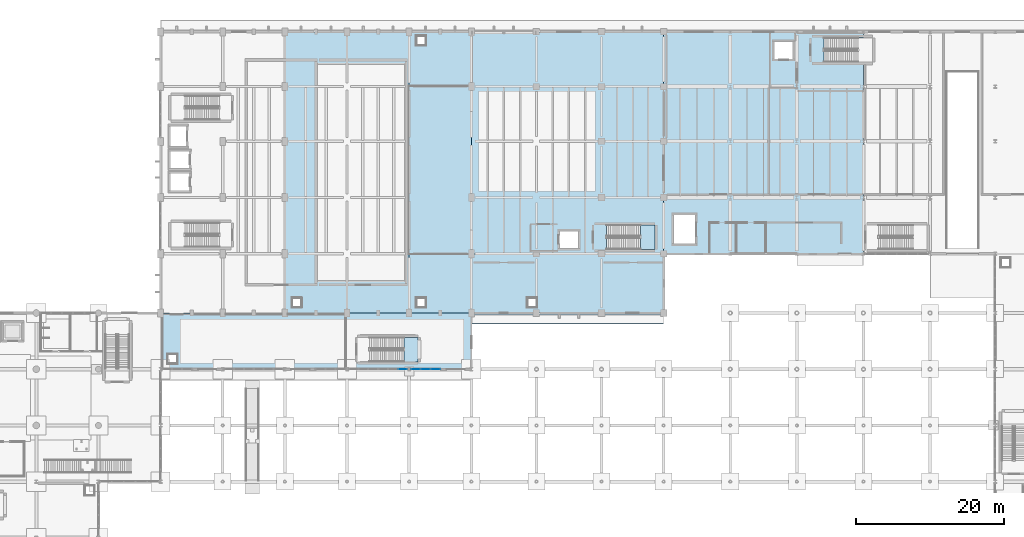
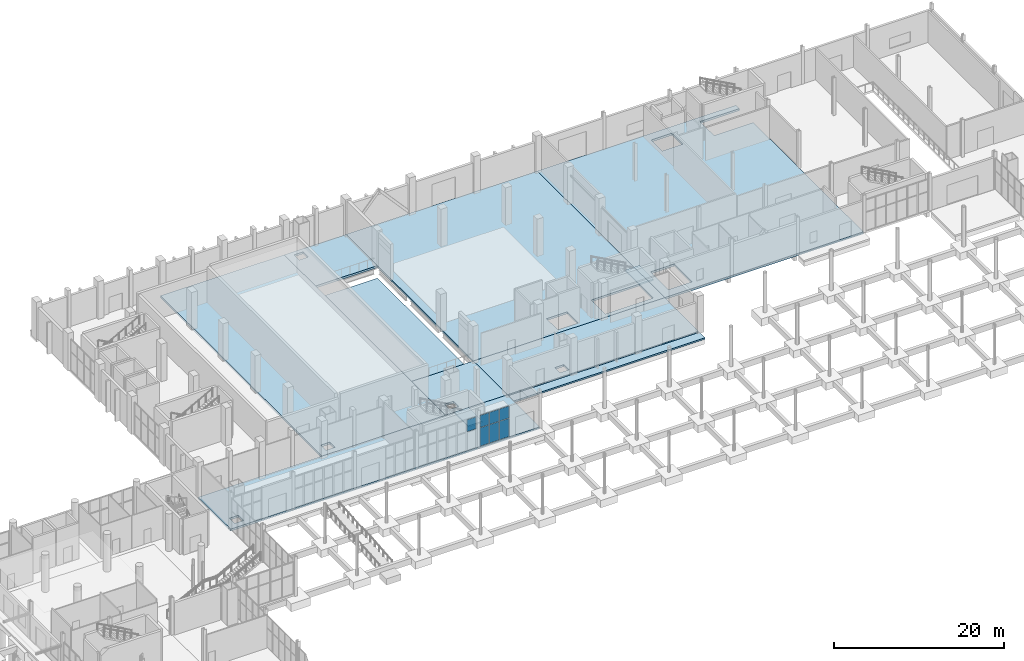
# One storey, part 64 of 95: 11 slabs, 7 plates, 4 elements without a shape of their own.
"""IFC4 building model written with IfcOpenShell, lengths in metres."""

from ifc_helpers import new_model, si_unit, direction, frame, origin, origin_2d, place, context, subcontext, project, spatial, polyline, rectangle, outline, extrude, material, layer, layer_set, type_object, element, aggregate, save


model = new_model("IFC4")

# Units and contexts
model_context = context("Model", 3, precision=1e-05, world=origin(), true_north=direction((0.0, 1.0)))
body_context = subcontext(model_context, "Body", "Model", "MODEL_VIEW")
ifc_project = project(units=[si_unit("LENGTHUNIT", "METRE"), si_unit("AREAUNIT", "SQUARE_METRE"), si_unit("VOLUMEUNIT", "CUBIC_METRE"), si_unit("PLANEANGLEUNIT", "RADIAN"), si_unit("MASSUNIT", "GRAM", prefix="KILO")], contexts=[model_context])

# Site, building, storey
site_placement = place(None, origin())
site = spatial("IfcSite", under=ifc_project, at=site_placement, CompositionType="ELEMENT")
building_placement = place(site_placement, origin())
building = spatial("IfcBuilding", under=site, at=building_placement, Name="Shengluoqiao Park Theatre", CompositionType="ELEMENT")
storey_placement = place(building_placement, origin())
storey = spatial("IfcBuildingStorey", under=building, at=storey_placement, Name="L00", CompositionType="ELEMENT", Elevation=0.0)

# Curtain wall, plate
ifc_material_1 = material(Name="Aluminium 6063-T6", Category="aluminium")
curtain_wall_type = type_object("IfcCurtainWallType", Name="ENV-CW-PROM", PredefinedType="NOTDEFINED", material=ifc_material_1)
curtain_wall_1_placement = place(storey_placement, origin())
curtain_wall_1 = element("IfcCurtainWall", 1, at=curtain_wall_1_placement, inside=storey, type_object=curtain_wall_type, Name="L00 Curtain Wall CW-L00-0044", PredefinedType="NOTDEFINED")
ifc_material_2 = material(Name="Insulated glass", Category="glass")
ifc_layer_1 = layer(ifc_material_2, 0.0380859375, Name="Insulated glass")
ifc_layer_set_1 = layer_set([ifc_layer_1], Name="Insulated glass")
plate_type = type_object("IfcPlateType", Name="ENV-GLZ-GL-38", PredefinedType="CURTAIN_PANEL", material=ifc_layer_set_1)
plate_1_placement = place(storey_placement, frame((77.111572265625, 68.39990234375, 2.75732421875), z_axis=(0.0, 0.0, 1.0), x_axis=(1.0, 0.0, 0.0)))
plate_1 = element("IfcPlate", 2, at=plate_1_placement, type_object=plate_type, Name="CW-04 panel 3.2", PredefinedType="CURTAIN_PANEL", context=body_context, shape_type="SweptSolid", body=[
    extrude(rectangle(XDim=1.233642578125, YDim=0.0380859375, at=origin_2d()), origin(), (0.0, 0.0, 1.0), 1.719482421875),
])
aggregate(curtain_wall_1, [plate_1])

# Curtain wall, plates
curtain_wall_2_placement = place(storey_placement, origin())
curtain_wall_2 = element("IfcCurtainWall", 3, at=curtain_wall_2_placement, inside=storey, type_object=curtain_wall_type, Name="L00 Curtain Wall CW-L00-0045", PredefinedType="NOTDEFINED")
plate_2_placement = place(storey_placement, frame((78.8984375, 68.39990234375, 0.06494140625), z_axis=(0.0, 0.0, 1.0), x_axis=(1.0, 0.0, 0.0)))
plate_2 = element("IfcPlate", 4, at=plate_2_placement, type_object=plate_type, Name="CW-04 panel 1.1", PredefinedType="CURTAIN_PANEL", context=body_context, shape_type="SweptSolid", body=[
    extrude(rectangle(XDim=1.253662109375, YDim=0.0380859375, at=origin_2d()), origin(), (0.0, 0.0, 1.0), 2.62744140625),
])
plate_3_placement = place(storey_placement, frame((78.8984375, 68.39990234375, 2.75732421875), z_axis=(0.0, 0.0, 1.0), x_axis=(1.0, 0.0, 0.0)))
plate_3 = element("IfcPlate", 5, at=plate_3_placement, type_object=plate_type, Name="CW-04 panel 1.2", PredefinedType="CURTAIN_PANEL", context=body_context, shape_type="SweptSolid", body=[
    extrude(rectangle(XDim=1.253662109375, YDim=0.0380859375, at=origin_2d()), origin(), (0.0, 0.0, 1.0), 1.719482421875),
])
plate_4_placement = place(storey_placement, frame((80.233154296875, 68.39990234375, 0.06494140625), z_axis=(0.0, 0.0, 1.0), x_axis=(1.0, 0.0, 0.0)))
plate_4 = element("IfcPlate", 6, at=plate_4_placement, type_object=plate_type, Name="CW-04 panel 2.1", PredefinedType="CURTAIN_PANEL", context=body_context, shape_type="SweptSolid", body=[
    extrude(rectangle(XDim=1.2861328125, YDim=0.0380859375, at=origin_2d()), origin(), (0.0, 0.0, 1.0), 2.62744140625),
])
plate_5_placement = place(storey_placement, frame((80.233154296875, 68.39990234375, 2.75732421875), z_axis=(0.0, 0.0, 1.0), x_axis=(1.0, 0.0, 0.0)))
plate_5 = element("IfcPlate", 7, at=plate_5_placement, type_object=plate_type, Name="CW-04 panel 2.2", PredefinedType="CURTAIN_PANEL", context=body_context, shape_type="SweptSolid", body=[
    extrude(rectangle(XDim=1.2861328125, YDim=0.0380859375, at=origin_2d()), origin(), (0.0, 0.0, 1.0), 1.719482421875),
])
plate_6_placement = place(storey_placement, frame((81.568115234375, 68.39990234375, 0.06494140625), z_axis=(0.0, 0.0, 1.0), x_axis=(1.0, 0.0, 0.0)))
plate_6 = element("IfcPlate", 8, at=plate_6_placement, type_object=plate_type, Name="CW-04 panel 3.1", PredefinedType="CURTAIN_PANEL", context=body_context, shape_type="SweptSolid", body=[
    extrude(rectangle(XDim=1.253662109375, YDim=0.0380859375, at=origin_2d()), origin(), (0.0, 0.0, 1.0), 2.62744140625),
])
plate_7_placement = place(storey_placement, frame((81.568115234375, 68.39990234375, 2.75732421875), z_axis=(0.0, 0.0, 1.0), x_axis=(1.0, 0.0, 0.0)))
plate_7 = element("IfcPlate", 9, at=plate_7_placement, type_object=plate_type, Name="CW-04 panel 3.2", PredefinedType="CURTAIN_PANEL", context=body_context, shape_type="SweptSolid", body=[
    extrude(rectangle(XDim=1.253662109375, YDim=0.0380859375, at=origin_2d()), origin(), (0.0, 0.0, 1.0), 1.719482421875),
])
aggregate(curtain_wall_2, [plate_2, plate_3, plate_4, plate_5, plate_6, plate_7])

# Slab
ifc_material_3 = material(Name="Concrete C40", Category="concrete")
ifc_layer_2 = layer(ifc_material_3, 0.219970703125, Name="Concrete C40")
ifc_layer_set_2 = layer_set([ifc_layer_2], Name="Concrete C40")
slab_type_1 = type_object("IfcSlabType", Name="ENV-SLB-APRON", PredefinedType="BASESLAB", material=ifc_layer_set_2)
slab_1_placement = place(storey_placement, frame((0.0, 0.0, -0.219970703125)))
element("IfcSlab", 10, at=slab_1_placement, inside=storey, type_object=slab_type_1, Name="Exterior Threshold Apron APR-STH-FCR", PredefinedType="BASESLAB", context=body_context, shape_type="SweptSolid", body=[
    extrude(outline(polyline([(86.39990234375, 74.5), (112.39990234375, 74.5), (112.39990234375, 75.800048828125), (86.39990234375, 75.800048828125), (86.39990234375, 74.5)])), origin(), (0.0, 0.0, 1.0), 0.219970703125),
])

# Stair, slab
stair_type = type_object("IfcStairType", Name="INT-STR-CORE", PredefinedType="HALF_TURN_STAIR", material=ifc_material_3)
stair_1_placement = place(storey_placement, origin())
stair_1 = element("IfcStair", 11, at=stair_1_placement, inside=storey, type_object=stair_type, Name="L00 South Promenade Escape Stair 11", PredefinedType="HALF_TURN_STAIR")
ifc_layer_3 = layer(ifc_material_3, 0.169921875, Name="Concrete C40")
ifc_layer_set_3 = layer_set([ifc_layer_3], Name="Concrete C40")
slab_type_2 = type_object("IfcSlabType", Name="INT-LND-SL-170", PredefinedType="LANDING", material=ifc_layer_set_3)
slab_2_placement = place(storey_placement, frame((0.0, 0.0, 2.5)))
slab_2 = element("IfcSlab", 12, at=slab_2_placement, type_object=slab_type_2, Name="ST-11 landing 1", PredefinedType="LANDING", context=body_context, shape_type="SweptSolid", body=[
    extrude(outline(polyline([(77.2900390625, 69.39990234375), (79.199951171875, 69.39990234375), (79.199951171875, 72.699951171875), (77.2900390625, 72.699951171875), (77.2900390625, 69.39990234375)])), origin(), (0.0, 0.0, 1.0), 0.199951171875),
])
aggregate(stair_1, [slab_2])

stair_2_placement = place(storey_placement, origin())
stair_2 = element("IfcStair", 13, at=stair_2_placement, inside=storey, type_object=stair_type, Name="L00 Stage and Fly Tower Escape Stair 05", PredefinedType="HALF_TURN_STAIR")
ifc_layer_4 = layer(ifc_material_3, 0.199951171875, Name="Concrete C40")
ifc_layer_set_4 = layer_set([ifc_layer_4], Name="Concrete C40")
slab_type_3 = type_object("IfcSlabType", Name="INT-LND-SL-200", PredefinedType="LANDING", material=ifc_layer_set_4)
slab_3_placement = place(storey_placement, frame((0.0, 0.0, 2.5)))
slab_3 = element("IfcSlab", 14, at=slab_3_placement, type_object=slab_type_3, Name="ST-05 landing 1", PredefinedType="LANDING", context=body_context, shape_type="SweptSolid", body=[
    extrude(outline(polyline([(109.2900390625, 84.60009765625), (111.199951171875, 84.60009765625), (111.199951171875, 87.89990234375), (109.2900390625, 87.89990234375), (109.2900390625, 84.60009765625)])), origin(), (0.0, 0.0, 1.0), 0.199951171875),
])
aggregate(stair_2, [slab_3])

# Slabs
ifc_material_4 = material(Name="Concrete C35", Category="concrete")
ifc_layer_5 = layer(ifc_material_4, 0.280029296875, Name="Concrete C35")
ifc_layer_set_5 = layer_set([ifc_layer_5], Name="Concrete C35")
slab_type_4 = type_object("IfcSlabType", Name="STR-SLB-FL280", PredefinedType="FLOOR", material=ifc_layer_set_5)
slab_4_placement = place(storey_placement, frame((0.0, 0.0, -0.280029296875)))
element("IfcSlab", 15, at=slab_4_placement, inside=storey, type_object=slab_type_4, Name="Floor Slab L00-V2-STG", PredefinedType="FLOOR", context=body_context, shape_type="SweptSolid", body=[
    extrude(outline(polyline([(86.39990234375, 84.0), (86.39990234375, 114.0), (112.39990234375, 114.0), (112.39990234375, 84.0), (86.39990234375, 84.0)]), holes=[polyline([(101.0, 84.60009765625), (101.0, 87.199951171875), (98.199951171875, 87.199951171875), (98.199951171875, 84.60009765625), (101.0, 84.60009765625)]), polyline([(104.654052734375, 84.60009765625), (111.199951171875, 84.60009765625), (111.199951171875, 87.89990234375), (104.654052734375, 87.89990234375), (104.654052734375, 84.60009765625)])]), origin(), (0.0, 0.0, 1.0), 0.280029296875),
])
slab_5_placement = place(storey_placement, frame((0.0, 0.0, -0.280029296875)))
element("IfcSlab", 16, at=slab_5_placement, inside=storey, type_object=slab_type_4, Name="Floor Slab L00-V2-SSTG", PredefinedType="FLOOR", context=body_context, shape_type="SweptSolid", body=[
    extrude(outline(polyline([(86.39990234375, 76.0), (86.39990234375, 84.0), (112.39990234375, 84.0), (112.39990234375, 76.0), (86.39990234375, 76.0)]), holes=[polyline([(95.219970703125, 78.02001953125), (94.0, 78.02001953125), (94.0, 76.800048828125), (95.219970703125, 76.800048828125), (95.219970703125, 78.02001953125)])]), origin(), (0.0, 0.0, 1.0), 0.280029296875),
])
ifc_layer_6 = layer(ifc_material_3, 0.300048828125, Name="Concrete C40")
ifc_layer_set_6 = layer_set([ifc_layer_6], Name="Concrete C40")
slab_type_5 = type_object("IfcSlabType", Name="STR-SLB-FL300", PredefinedType="FLOOR", material=ifc_layer_set_6)
slab_6_placement = place(storey_placement, frame((0.0, 0.0, -0.300048828125)))
element("IfcSlab", 17, at=slab_6_placement, inside=storey, type_object=slab_type_5, Name="Floor Slab L00-V1-MID", PredefinedType="FLOOR", context=body_context, shape_type="SweptSolid", body=[
    extrude(outline(polyline([(61.199951171875, 76.0), (61.199951171875, 114.0), (78.0, 114.0), (78.0, 76.0), (61.199951171875, 76.0)]), holes=[polyline([(63.419921875, 78.02001953125), (62.199951171875, 78.02001953125), (62.199951171875, 76.800048828125), (63.419921875, 76.800048828125), (63.419921875, 78.02001953125)])]), origin(), (0.0, 0.0, 1.0), 0.300048828125),
])
slab_7_placement = place(storey_placement, frame((0.0, 0.0, -0.300048828125)))
element("IfcSlab", 18, at=slab_7_placement, inside=storey, type_object=slab_type_5, Name="Floor Slab L00-V1-APRN-S", PredefinedType="FLOOR", context=body_context, shape_type="SweptSolid", body=[
    extrude(outline(polyline([(78.0, 76.0), (78.0, 84.0), (86.39990234375, 84.0), (86.39990234375, 76.0), (78.0, 76.0)]), holes=[polyline([(80.219970703125, 78.02001953125), (79.0, 78.02001953125), (79.0, 76.800048828125), (80.219970703125, 76.800048828125), (80.219970703125, 78.02001953125)])]), origin(), (0.0, 0.0, 1.0), 0.300048828125),
])
slab_8_placement = place(storey_placement, frame((0.0, 0.0, -0.300048828125)))
element("IfcSlab", 19, at=slab_8_placement, inside=storey, type_object=slab_type_5, Name="Floor Slab L00-V1-APRN-N", PredefinedType="FLOOR", context=body_context, shape_type="SweptSolid", body=[
    extrude(outline(polyline([(78.0, 106.60009765625), (78.0, 114.0), (86.39990234375, 114.0), (86.39990234375, 106.60009765625), (78.0, 106.60009765625)]), holes=[polyline([(80.219970703125, 112.199951171875), (80.219970703125, 113.419921875), (79.0, 113.419921875), (79.0, 112.199951171875), (80.219970703125, 112.199951171875)])]), origin(), (0.0, 0.0, 1.0), 0.300048828125),
])
slab_9_placement = place(storey_placement, frame((0.0, 0.0, -0.300048828125)))
element("IfcSlab", 20, at=slab_9_placement, inside=storey, type_object=slab_type_5, Name="Floor Slab L00-V5-PROM", PredefinedType="FLOOR", context=body_context, shape_type="SweptSolid", body=[
    extrude(outline(polyline([(44.39990234375, 68.39990234375), (44.39990234375, 76.0), (86.39990234375, 76.0), (86.39990234375, 68.39990234375), (44.39990234375, 68.39990234375)]), holes=[polyline([(46.6201171875, 69.199951171875), (46.6201171875, 70.419921875), (45.39990234375, 70.419921875), (45.39990234375, 69.199951171875), (46.6201171875, 69.199951171875)])]), origin(), (0.0, 0.0, 1.0), 0.300048828125),
])
slab_10_placement = place(storey_placement, frame((0.0, 0.0, -0.300048828125)))
element("IfcSlab", 21, at=slab_10_placement, inside=storey, type_object=slab_type_5, Name="Floor Slab L00-V6-NE1", PredefinedType="FLOOR", context=body_context, shape_type="SweptSolid", body=[
    extrude(outline(polyline([(139.39990234375, 84.0), (112.39990234375, 84.0), (112.39990234375, 114.0), (139.39990234375, 114.0), (139.39990234375, 113.199951171875), (134.053955078125, 113.199951171875), (134.053955078125, 109.89990234375), (139.39990234375, 109.89990234375), (139.39990234375, 84.0)]), holes=[polyline([(116.800048828125, 85.199951171875), (116.800048828125, 89.39990234375), (113.60009765625, 89.39990234375), (113.60009765625, 85.199951171875), (116.800048828125, 85.199951171875)]), polyline([(130.0, 112.800048828125), (127.199951171875, 112.800048828125), (127.199951171875, 110.199951171875), (130.0, 110.199951171875), (130.0, 112.800048828125)])]), origin(), (0.0, 0.0, 1.0), 0.300048828125),
])
ifc_layer_7 = layer(ifc_material_3, 0.60009765625, Name="Concrete C40")
ifc_layer_set_7 = layer_set([ifc_layer_7], Name="Concrete C40")
slab_type_6 = type_object("IfcSlabType", Name="STR-SLB-PIT600", PredefinedType="BASESLAB", material=ifc_layer_set_7)
slab_11_placement = place(storey_placement, frame((0.0, 0.0, -2.39990234375)))
element("IfcSlab", 22, at=slab_11_placement, inside=storey, type_object=slab_type_6, Name="Floor Slab L00-V1-PIT", PredefinedType="BASESLAB", context=body_context, shape_type="SweptSolid", body=[
    extrude(outline(polyline([(78.0, 84.0), (78.0, 106.60009765625), (86.39990234375, 106.60009765625), (86.39990234375, 84.0), (78.0, 84.0)])), origin(), (0.0, 0.0, 1.0), 0.599853515625),
])

save(model, "model.ifc")
